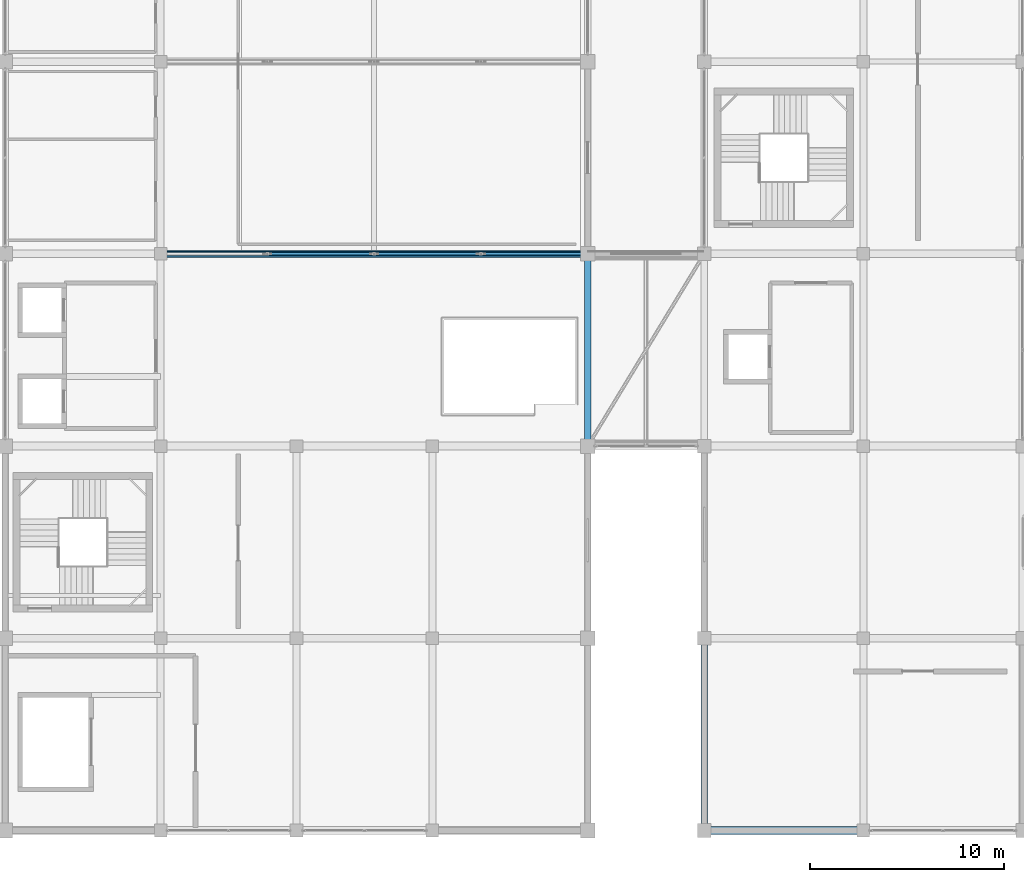
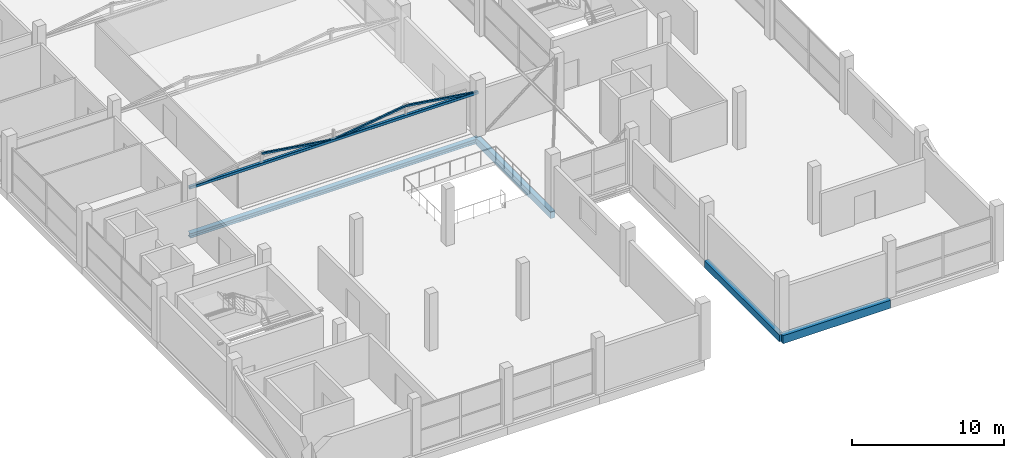
# One storey, part 11 of 69: 4 beams, 4 members.
"""IFC4 building model written with IfcOpenShell, lengths in metres."""

import ifcopenshell
import ifcopenshell.guid

model = None  # the IFC model being written
_history = None  # IfcOwnerHistory: only IFC2X3 demands one
_inside = {}  # id of a spatial element -> (the spatial element, [elements in it])
_under = {}  # id of a project, library or spatial element -> (it, [spatial elements below it])
_declared = {}  # id of a project -> (the project, [libraries it declares])
_typed = {}  # id of a type object -> (the type object, [elements of that type])
_made_of = {}  # id of a material, layer set ... -> (it, [elements and type objects made of it])


def new_model(schema):
    """Start an empty IFC model of exactly this schema.

    Asked for "IFC4X3", IfcOpenShell would pick the latest addendum, in which some entities
    have other attributes; the version numbers below select the first issue.
    IFC2X3 requires an IfcOwnerHistory on every rooted entity: one is made here for all.
    """
    global model, _history
    if schema == "IFC4X3":
        model = ifcopenshell.file(schema_version=(4, 3, 0, 0))
    else:
        model = ifcopenshell.file(schema=schema)
    _inside.clear()
    _under.clear()
    _declared.clear()
    _typed.clear()
    _made_of.clear()
    _history = None
    if model.schema == "IFC2X3":
        org = make("IfcOrganization", Name="unknown")
        user = make(
            "IfcPersonAndOrganization",
            ThePerson=make("IfcPerson", FamilyName="unknown"),
            TheOrganization=org,
        )
        app = make(
            "IfcApplication",
            ApplicationDeveloper=org,
            Version="unknown",
            ApplicationFullName="unknown",
            ApplicationIdentifier="unknown",
        )
        _history = make(
            "IfcOwnerHistory",
            OwningUser=user,
            OwningApplication=app,
            ChangeAction="ADDED",
            CreationDate=0,
        )
    return model


def make(cls, **values):
    """One entity of the class cls with the attributes given. An attribute that is None is left unset."""
    return model.create_entity(
        cls, **{name: value for name, value in values.items() if value is not None}
    )


def rooted(cls, **values):
    """An entity with a GlobalId (a new one), such as an element, a storey or a relation."""
    return make(cls, GlobalId=ifcopenshell.guid.new(), OwnerHistory=_history, **values)


def si_unit(unit_type, name, prefix=None):
    """IfcSIUnit, for example si_unit("LENGTHUNIT", "METRE", prefix="MILLI")."""
    return make("IfcSIUnit", UnitType=unit_type, Prefix=prefix, Name=name)


def assignment(units):
    """IfcUnitAssignment: the units of a project."""
    return None if units is None else make("IfcUnitAssignment", Units=units)


def point(xyz):
    """IfcCartesianPoint."""
    return None if xyz is None else make("IfcCartesianPoint", Coordinates=xyz)


def direction(xyz):
    """IfcDirection."""
    return None if xyz is None else make("IfcDirection", DirectionRatios=xyz)


def frame(location, z_axis=None, x_axis=None):
    """IfcAxis2Placement3D, a coordinate frame: its origin and axes. An axis left out is left unset."""
    return make(
        "IfcAxis2Placement3D",
        Location=point(location),
        Axis=direction(z_axis),
        RefDirection=direction(x_axis),
    )


def frame_2d(location, x_axis=None):
    """IfcAxis2Placement2D, a coordinate frame in the plane: its origin and x axis."""
    return make(
        "IfcAxis2Placement2D", Location=point(location), RefDirection=direction(x_axis)
    )


def origin():
    """The frame at (0, 0, 0) with its axes left unset."""
    return frame((0.0, 0.0, 0.0))


def origin_2d():
    """The frame at (0, 0) in the plane with its x axis left unset."""
    return frame_2d((0.0, 0.0))


def place(relative_to, where):
    """IfcLocalPlacement: puts the frame where relative to a parent placement (None: the world)."""
    return make(
        "IfcLocalPlacement", PlacementRelTo=relative_to, RelativePlacement=where
    )


def context(
    kind, dimensions, precision=None, world=None, true_north=None, identifier=None
):
    """IfcGeometricRepresentationContext, for example the 3D "Model" context."""
    return make(
        "IfcGeometricRepresentationContext",
        ContextIdentifier=identifier,
        ContextType=kind,
        CoordinateSpaceDimension=dimensions,
        Precision=precision,
        WorldCoordinateSystem=world,
        TrueNorth=true_north,
    )


def subcontext(parent, identifier, kind, view, scale=None):
    """IfcGeometricRepresentationSubContext, for example "Body" below "Model"."""
    return make(
        "IfcGeometricRepresentationSubContext",
        ContextIdentifier=identifier,
        ContextType=kind,
        ParentContext=parent,
        TargetScale=scale,
        TargetView=view,
    )


def project(units=None, contexts=None):
    """IfcProject with its units and contexts."""
    return rooted(
        "IfcProject",
        Name="project",
        RepresentationContexts=contexts,
        UnitsInContext=assignment(units),
    )


def spatial(cls, under=None, at=None, **own):
    """A site, building, storey or space (cls), placed at a placement, below another one or the project."""
    s = rooted(cls, ObjectPlacement=at, **own)
    if under is not None:
        _under.setdefault(under.id(), (under, []))[1].append(s)
    return s


def profile(cls, at=None, kind="AREA", **sizes):
    """A parametric profile (cls). Its sizes go by their IFC names, for example OverallWidth=200.0."""
    return make(cls, ProfileType=kind, Position=at, **sizes)


def rectangle(**sizes):
    """IfcRectangleProfileDef."""
    return profile("IfcRectangleProfileDef", **sizes)


def hollow_rectangle(**sizes):
    """IfcRectangleHollowProfileDef."""
    return profile("IfcRectangleHollowProfileDef", **sizes)


def i_section(**sizes):
    """IfcIShapeProfileDef."""
    return profile("IfcIShapeProfileDef", **sizes)


def extrude(swept, where, along, depth):
    """IfcExtrudedAreaSolid: the profile swept, set in the frame where, extruded along a direction by depth."""
    return make(
        "IfcExtrudedAreaSolid",
        SweptArea=swept,
        Position=where,
        ExtrudedDirection=direction(along),
        Depth=depth,
    )


def shape(context_of_items, identifier, shape_type, items):
    """IfcShapeRepresentation: the items that make up one representation, for example the "Body"."""
    return make(
        "IfcShapeRepresentation",
        ContextOfItems=context_of_items,
        RepresentationIdentifier=identifier,
        RepresentationType=shape_type,
        Items=items,
    )


def material(Name=None, Category=None):
    """IfcMaterial."""
    return make("IfcMaterial", Name=Name, Category=Category)


def material_profile(
    of_material, cross_section, Name=None, Category=None, Priority=None
):
    """IfcMaterialProfile: a cross section and its material."""
    return make(
        "IfcMaterialProfile",
        Name=Name,
        Material=of_material,
        Profile=cross_section,
        Priority=Priority,
        Category=Category,
    )


def profile_set(profiles, Name=None, composite=None):
    """IfcMaterialProfileSet."""
    return make(
        "IfcMaterialProfileSet",
        Name=Name,
        MaterialProfiles=profiles,
        CompositeProfile=composite,
    )


def made_of(thing, what):
    """Note that an element or type object is made of a material, layer set ...; save() writes the relation."""
    if what is not None:
        _made_of.setdefault(what.id(), (what, []))[1].append(thing)
    return thing


def type_object(cls, material=None, **own):
    """A type object (cls), such as IfcWallType, which elements share."""
    return made_of(rooted(cls, **own), material)


def element(
    cls,
    number,
    at=None,
    inside=None,
    cuts=None,
    type_object=None,
    material=None,
    context=None,
    identifier="Body",
    shape_type=None,
    held_by="IfcProductDefinitionShape",
    body=None,
    shapes=None,
    **own,
):
    """One element of the class cls, such as IfcWall. Its Tag is "e" and its number.

    at: its placement. inside: the storey or other place that contains it. cuts: it is an
    opening in that element (IfcRelVoidsElement). A single representation is given by context,
    identifier, shape_type and body (its items); several are given by shapes. held_by: the class
    of the entity that holds the representations. save() writes the other relations.
    """
    e = rooted(cls, Tag="e%d" % number, ObjectPlacement=at, **own)
    if body is not None:
        shapes = [shape(context, identifier, shape_type, body)]
    if shapes is not None:
        e.Representation = make(held_by, Representations=shapes)
    if inside is not None:
        _inside.setdefault(inside.id(), (inside, []))[1].append(e)
    if cuts is not None:
        rooted(
            "IfcRelVoidsElement", RelatingBuildingElement=cuts, RelatedOpeningElement=e
        )
    if type_object is not None:
        _typed.setdefault(type_object.id(), (type_object, []))[1].append(e)
    return made_of(e, material)


def aggregate(whole, parts):
    """IfcRelAggregates: a whole, such as a stair, and the parts it consists of."""
    return rooted("IfcRelAggregates", RelatingObject=whole, RelatedObjects=parts)


def save(model, path):
    """Write the relations noted so far, then the file.

    IfcRelAggregates (storeys below a building ...), IfcRelContainedInSpatialStructure (elements
    in a storey), IfcRelDefinesByType, IfcRelAssociatesMaterial and IfcRelDeclares: one each for
    every whole, place, type object, material and project.
    """
    for whole, parts in _under.values():
        aggregate(whole, parts)
    for where, things in _inside.values():
        rooted(
            "IfcRelContainedInSpatialStructure",
            RelatedElements=things,
            RelatingStructure=where,
        )
    for kind, things in _typed.values():
        rooted("IfcRelDefinesByType", RelatedObjects=things, RelatingType=kind)
    for what, things in _made_of.values():
        rooted("IfcRelAssociatesMaterial", RelatedObjects=things, RelatingMaterial=what)
    for by, libraries in _declared.values():
        rooted("IfcRelDeclares", RelatingContext=by, RelatedDefinitions=libraries)
    model.write(path)


model = new_model("IFC4")

# Units and contexts
model_context = context("Model", 3, precision=1e-05, world=origin(), true_north=direction((0.0, 1.0)))
body_context = subcontext(model_context, "Body", "Model", "MODEL_VIEW")
ifc_project = project(units=[si_unit("LENGTHUNIT", "METRE"), si_unit("AREAUNIT", "SQUARE_METRE"), si_unit("VOLUMEUNIT", "CUBIC_METRE"), si_unit("PLANEANGLEUNIT", "RADIAN"), si_unit("MASSUNIT", "GRAM", prefix="KILO")], contexts=[model_context])

# Site, building, storey
site_placement = place(None, origin())
site = spatial("IfcSite", under=ifc_project, at=site_placement, CompositionType="ELEMENT")
building_placement = place(site_placement, origin())
building = spatial("IfcBuilding", under=site, at=building_placement, Name="Sillaruma Civic Art Gallery", CompositionType="ELEMENT")
storey_placement = place(building_placement, frame((0.0, 0.0, 42.330078125)))
storey = spatial("IfcBuildingStorey", under=building, at=storey_placement, Name="L08", CompositionType="ELEMENT", Elevation=42.330078125)

# Beams
ifc_material_1 = material(Name="Concrete H35 (35 MPa)", Category="concrete")
ifc_material_profile_1 = material_profile(ifc_material_1, rectangle(XDim=0.35009765625, YDim=0.550048828125, at=origin_2d()), Name="RCB350x550")
ifc_profile_set_1 = profile_set([ifc_material_profile_1], Name="Concrete H35 (35 MPa)")
beam_type_1 = type_object("IfcBeamType", Name="BM-SPANDREL-RCB350x550", PredefinedType="SPANDREL", material=ifc_profile_set_1)
for number, where, z_axis, x_axis, name in (
    (1, (92.0, 39.60009765625, -0.55517578125), (0.0, 1.0, 0.0), (-1.0, 0.0, 0.0), "Beam BS-04 (L07:K:5-6)"),
    (2, (98.0, 19.800048828125, -0.55517578125), (0.0, 1.0, 0.0), (-1.0, 0.0, 0.0), "Beam BS-04 (L07:L:3-4)"),
):
    element("IfcBeam", number, at=place(storey_placement, frame(where, z_axis=z_axis, x_axis=x_axis)), inside=storey, type_object=beam_type_1, Name=name, PredefinedType="SPANDREL", context=body_context, shape_type="SweptSolid", body=[
        extrude(rectangle(XDim=0.35009765625, YDim=0.550048828125, at=origin_2d()), origin(), (0.0, 0.0, 1.0), 9.89990234375),
    ])
ifc_material_profile_2 = material_profile(ifc_material_1, rectangle(XDim=0.39990234375, YDim=0.64990234375, at=origin_2d()), Name="RCB400x650")
ifc_profile_set_2 = profile_set([ifc_material_profile_2], Name="Concrete H35 (35 MPa)")
beam_type_2 = type_object("IfcBeamType", Name="BM-SPANDREL-RCB400x650", PredefinedType="SPANDREL", material=ifc_profile_set_2)
beam_1_placement = place(storey_placement, frame((98.0, 19.800048828125, -0.60498046875), z_axis=(1.0, 0.0, 0.0), x_axis=(0.0, 1.0, 0.0)))
element("IfcBeam", 3, at=beam_1_placement, inside=storey, type_object=beam_type_2, Name="Beam BS-02 (L07:3:L-M)", PredefinedType="SPANDREL", context=body_context, shape_type="SweptSolid", body=[
    extrude(rectangle(XDim=0.39990234375, YDim=0.64990234375, at=origin_2d()), origin(), (0.0, 0.0, 1.0), 8.199951171875),
])
ifc_material_2 = material(Name="Structural Steel ASTM A992 Gr.50", Category="steel")
ifc_material_profile_3 = material_profile(ifc_material_2, i_section(OverallWidth=0.37109375, OverallDepth=0.364013671875, WebThickness=0.01318359375, FlangeThickness=0.021728515625, FilletRadius=0.014892578125, at=origin_2d()), Name="W360x162")
ifc_profile_set_3 = profile_set([ifc_material_profile_3], Name="Structural Steel ASTM A992 Gr.50")
beam_type_3 = type_object("IfcBeamType", Name="BM-TRTOP-W360x162", PredefinedType="BEAM", material=ifc_profile_set_3)
beam_2_placement = place(storey_placement, frame((70.0, 49.5, -0.462158203125), z_axis=(1.0, 0.0, 0.0), x_axis=(0.0, 1.0, 0.0)))
element("IfcBeam", 4, at=beam_2_placement, inside=storey, type_object=beam_type_3, Name="Warren Truss Top Chord TR-L07-1", PredefinedType="BEAM", context=body_context, shape_type="SweptSolid", body=[
    extrude(i_section(OverallWidth=0.37109375, OverallDepth=0.364013671875, WebThickness=0.01318359375, FlangeThickness=0.021728515625, FilletRadius=0.014892578125, at=origin_2d()), origin(), (0.0, 0.0, 1.0), 22.0),
])

# Members
ifc_material_3 = material(Name="Structural Steel ASTM A500 Gr.C", Category="steel")
ifc_material_profile_4 = material_profile(ifc_material_3, hollow_rectangle(XDim=0.14990234375, YDim=0.14990234375, WallThickness=0.010009765625, InnerFilletRadius=0.010009765625, OuterFilletRadius=0.02001953125, at=origin_2d()), Name="HSS150x150x10")
ifc_profile_set_4 = profile_set([ifc_material_profile_4], Name="Structural Steel ASTM A500 Gr.C")
member_type_1 = type_object("IfcMemberType", Name="MEM-BRACE-HSS150x150x10", PredefinedType="BRACE", material=ifc_profile_set_4)
for number, where, z_axis, x_axis, name in (
    (5, (75.5, 49.5, 4.157958984375), (0.989377720719, 0.0, -0.145367553959), (0.0, 1.0, 0.0), "Warren Truss Diagonal TR-L08-1-D2"),
    (6, (81.0, 49.5, 3.349853515625), (0.989377720719, 0.0, 0.145367553959), (0.0, 1.0, 0.0), "Warren Truss Diagonal TR-L08-1-D3"),
    (7, (86.5, 49.5, 4.157958984375), (0.989377720719, 0.0, -0.145367553959), (0.0, 1.0, 0.0), "Warren Truss Diagonal TR-L08-1-D4"),
):
    element("IfcMember", number, at=place(storey_placement, frame(where, z_axis=z_axis, x_axis=x_axis)), inside=storey, type_object=member_type_1, Name=name, PredefinedType="BRACE", context=body_context, shape_type="SweptSolid", body=[
        extrude(hollow_rectangle(XDim=0.14990234375, YDim=0.14990234375, WallThickness=0.010009765625, InnerFilletRadius=0.010009765625, OuterFilletRadius=0.02001953125, at=origin_2d()), origin(), (0.0, 0.0, 1.0), 5.55908203125),
    ])
ifc_material_profile_5 = material_profile(ifc_material_3, hollow_rectangle(XDim=0.219970703125, YDim=0.219970703125, WallThickness=0.012451171875, InnerFilletRadius=0.012451171875, OuterFilletRadius=0.02490234375, at=origin_2d()), Name="HSS220x220x12.5")
ifc_profile_set_5 = profile_set([ifc_material_profile_5], Name="Structural Steel ASTM A500 Gr.C")
member_type_2 = type_object("IfcMemberType", Name="MEM-CHORD-HSS220x220x12.5", PredefinedType="CHORD", material=ifc_profile_set_5)
member_placement = place(storey_placement, frame((70.0, 49.5, 3.349853515625), z_axis=(1.0, 0.0, 0.0), x_axis=(0.0, 1.0, 0.0)))
element("IfcMember", 8, at=member_placement, inside=storey, type_object=member_type_2, Name="Warren Truss Bottom Chord TR-L08-1", PredefinedType="CHORD", context=body_context, shape_type="SweptSolid", body=[
    extrude(hollow_rectangle(XDim=0.219970703125, YDim=0.219970703125, WallThickness=0.012451171875, InnerFilletRadius=0.012451171875, OuterFilletRadius=0.02490234375, at=origin_2d()), origin(), (0.0, 0.0, 1.0), 22.0),
])

save(model, "model.ifc")
